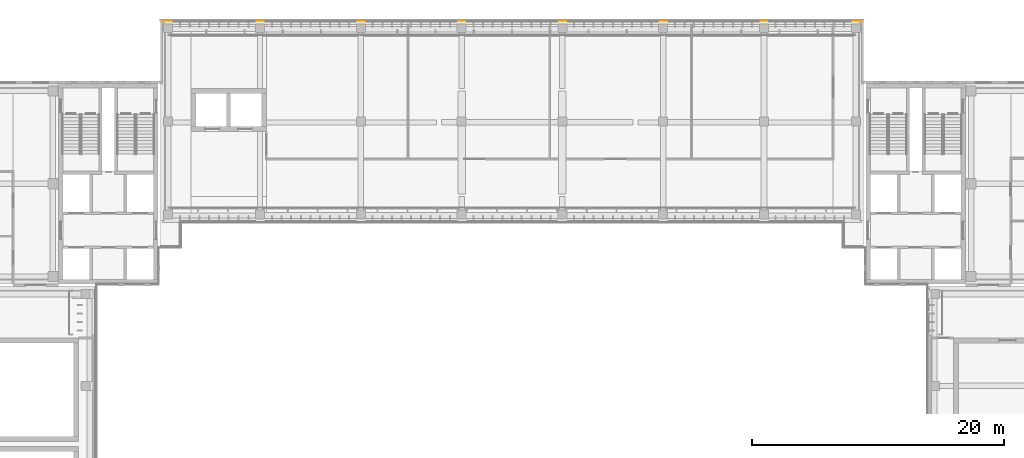
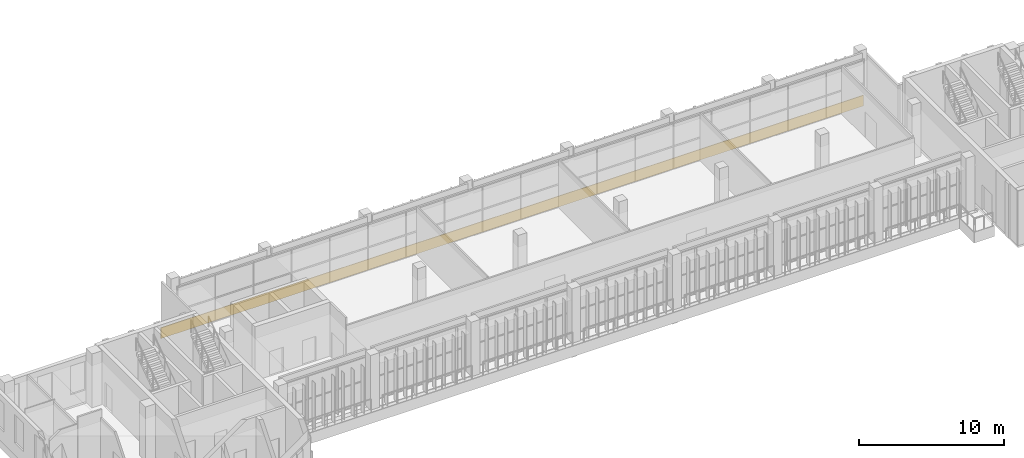
# One storey, part 68 of 73: 1 covering.
"""IFC4 building model written with IfcOpenShell, lengths in metres."""

from ifc_helpers import new_model, si_unit, direction, frame, frame_2d, origin, place, context, subcontext, project, spatial, rectangle, extrude, material, layer, layer_set, type_object, element, save


model = new_model("IFC4")

# Units and contexts
model_context = context("Model", 3, precision=1e-05, world=origin(), true_north=direction((0.0, 1.0)))
body_context = subcontext(model_context, "Body", "Model", "MODEL_VIEW")
ifc_project = project(units=[si_unit("LENGTHUNIT", "METRE"), si_unit("AREAUNIT", "SQUARE_METRE"), si_unit("VOLUMEUNIT", "CUBIC_METRE"), si_unit("PLANEANGLEUNIT", "RADIAN"), si_unit("MASSUNIT", "GRAM", prefix="KILO")], contexts=[model_context])

# Site, building, storey
site_placement = place(None, origin())
site = spatial("IfcSite", under=ifc_project, at=site_placement, CompositionType="ELEMENT")
building_placement = place(site_placement, origin())
building = spatial("IfcBuilding", under=site, at=building_placement, Name="Lantern Court Media Centre", CompositionType="ELEMENT")
storey_placement = place(building_placement, frame((0.0, 0.0, 24.0)))
storey = spatial("IfcBuildingStorey", under=building, at=storey_placement, Name="L05", CompositionType="ELEMENT", Elevation=24.0)

# Covering
ifc_material = material(Name="White glass-fibre reinforced cement cladding", Category="concrete")
ifc_layer = layer(ifc_material, 0.050048828125)
ifc_layer_set = layer_set([ifc_layer], Name="White glass-fibre reinforced cement cladding")
covering_type = type_object("IfcCoveringType", Name="Floor-edge band 50", PredefinedType="CLADDING", material=ifc_layer_set)
covering_placement = place(storey_placement, frame((24.10009765625, 117.02490234375, -0.89990234375), z_axis=(0.0, 0.0, 1.0), x_axis=(1.0, 0.0, 0.0)))
element("IfcCovering", 1, at=covering_placement, inside=storey, type_object=covering_type, Name="Floor-edge band N outer L05", PredefinedType="CLADDING", context=body_context, shape_type="SweptSolid", body=[
    extrude(rectangle(XDim=55.7998046875, YDim=0.050048828125, at=frame_2d((27.89990234375, 0.0))), origin(), (0.0, 0.0, 1.0), 0.89990234375),
])

save(model, "model.ifc")
